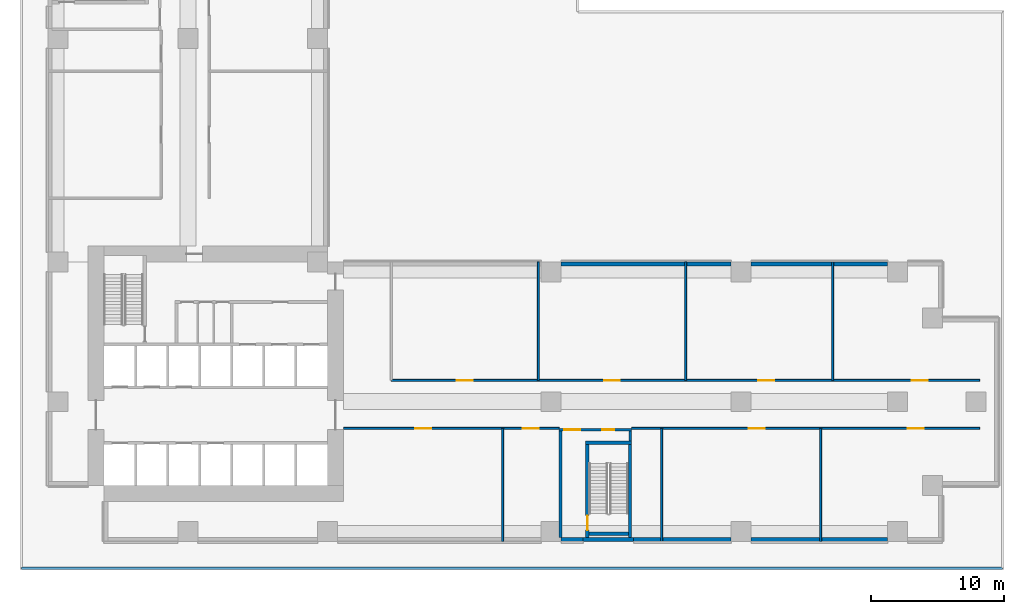
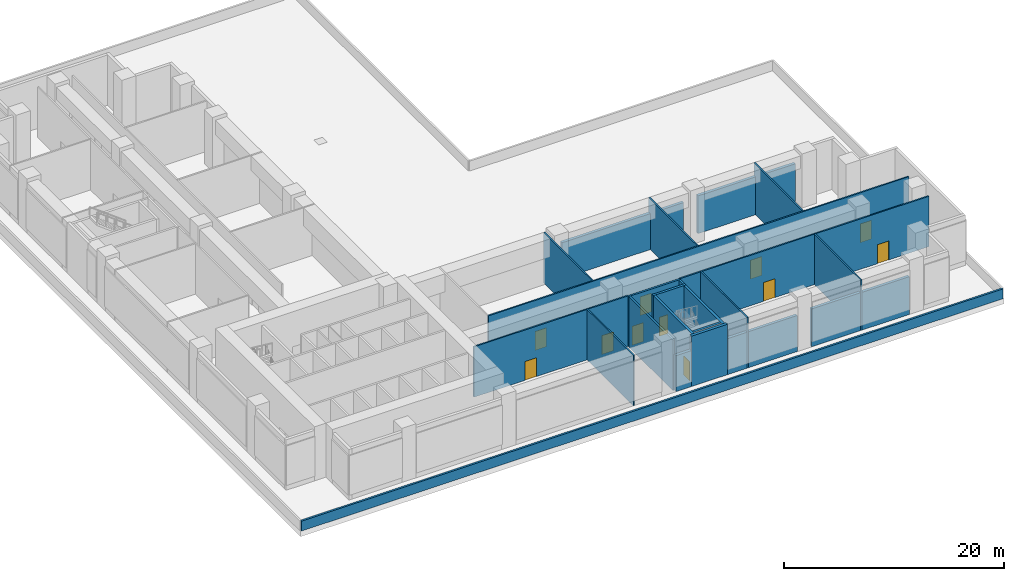
# One storey, part 3 of 11: 23 walls, 11 doors, 11 openings.
"""IFC4 building model written with IfcOpenShell, lengths in metres."""

from ifc_helpers import new_model, si_unit, direction, frame, frame_2d, origin, place, context, subcontext, project, spatial, rectangle, extrude, source, transform, mapped, material, layer, layer_set, type_object, element, fill, save


model = new_model("IFC4")

# Units and contexts
model_context = context("Model", 3, precision=1e-05, world=origin(), true_north=direction((0.0, 1.0)))
body_context = subcontext(model_context, "Body", "Model", "MODEL_VIEW")
ifc_project = project(units=[si_unit("LENGTHUNIT", "METRE"), si_unit("AREAUNIT", "SQUARE_METRE"), si_unit("VOLUMEUNIT", "CUBIC_METRE"), si_unit("PLANEANGLEUNIT", "RADIAN"), si_unit("MASSUNIT", "GRAM", prefix="KILO")], contexts=[model_context])

# Site, building, storey
site_placement = place(None, origin())
site = spatial("IfcSite", under=ifc_project, at=site_placement, CompositionType="ELEMENT")
building_placement = place(site_placement, origin())
building = spatial("IfcBuilding", under=site, at=building_placement, Name="Aurelian Terraces", CompositionType="ELEMENT")
storey_placement = place(building_placement, frame((0.0, 0.0, 34.5)))
storey = spatial("IfcBuildingStorey", under=building, at=storey_placement, Name="L06", CompositionType="ELEMENT", Elevation=34.5)

# Wall
ifc_material_1 = material(Name="Gypsum board on steel studs", Category="steel")
ifc_layer_1 = layer(ifc_material_1, 0.2)
ifc_layer_set_1 = layer_set([ifc_layer_1], Name="Core partition 200")
wall_type_1 = type_object("IfcWallType", Name="Core partition 200", PredefinedType="PARTITIONING", material=ifc_layer_set_1)
wall_1_placement = place(storey_placement, frame((38.5, 0.3, 0.0), z_axis=(0.0, 0.0, 1.0), x_axis=(0.0, 1.0, 0.0)))
element("IfcWall", 1, at=wall_1_placement, inside=storey, type_object=wall_type_1, Name="L06 core wall ST-S2-VW", PredefinedType="PARTITIONING", context=body_context, shape_type="SweptSolid", body=[
    extrude(rectangle(XDim=8.0, YDim=0.2, at=frame_2d((4.0, 0.0))), origin(), (0.0, 0.0, 1.0), 5.6),
])

# Wall, openings, doors
wall_2_placement = place(storey_placement, frame((38.4, 8.4, 0.0), z_axis=(0.0, 0.0, 1.0), x_axis=(1.0, 0.0, 0.0)))
wall_2 = element("IfcWall", 2, at=wall_2_placement, inside=storey, type_object=wall_type_1, Name="L06 core wall ST-S2-BN", PredefinedType="PARTITIONING", context=body_context, shape_type="SweptSolid", body=[
    extrude(rectangle(XDim=5.45, YDim=0.2, at=frame_2d((2.725, 0.0))), origin(), (0.0, 0.0, 1.0), 5.6),
])
shared_shape_1 = source(origin(), body_context, "Body", "SweptSolid", [
    extrude(rectangle(XDim=1.2, YDim=2.1, at=frame_2d((0.6, 1.05))), frame((0.0, 0.11, 0.0), z_axis=(0.0, -1.0, 0.0), x_axis=(1.0, 0.0, 0.0)), (0.0, 0.0, 1.0), 0.22),
])
opening_1_placement = place(wall_2_placement, frame((0.4, 0.0, 0.0)))
opening_1 = element("IfcOpeningElement", 3, at=opening_1_placement, cuts=wall_2, Name="Opening 60916", PredefinedType="OPENING", context=body_context, shape_type="MappedRepresentation", body=[
    mapped(shared_shape_1, transform((0.0, 0.0, 0.0), scale=1.0)),
])
shared_shape_2 = source(origin(), body_context, "Body", "SweptSolid", [
    extrude(rectangle(XDim=0.9, YDim=2.1, at=frame_2d((0.45, 1.05))), frame((0.0, 0.11, 0.0), z_axis=(0.0, -1.0, 0.0), x_axis=(1.0, 0.0, 0.0)), (0.0, 0.0, 1.0), 0.22),
])
opening_2_placement = place(wall_2_placement, frame((3.25, 0.0, 0.0)))
opening_2 = element("IfcOpeningElement", 4, at=opening_2_placement, cuts=wall_2, Name="Opening 60917", PredefinedType="OPENING", context=body_context, shape_type="MappedRepresentation", body=[
    mapped(shared_shape_2, transform((0.0, 0.0, 0.0), scale=1.0)),
])
ifc_material_2 = material(Name="Steel door leaf", Category="steel")
door_type_1 = type_object("IfcDoorType", Name="Core riser door 900x2100", OperationType="SINGLE_SWING_LEFT", PredefinedType="DOOR", material=ifc_material_2)
shared_shape_3 = source(origin(), body_context, "Body", "SweptSolid", [
    extrude(rectangle(XDim=0.9, YDim=2.1, at=frame_2d((0.45, 1.05))), frame((0.0, 0.025, 0.0), z_axis=(0.0, -1.0, 0.0), x_axis=(1.0, 0.0, 0.0)), (0.0, 0.0, 1.0), 0.05),
])
door_1_placement = place(opening_2_placement, origin())
door_1 = element("IfcDoor", 5, at=door_1_placement, inside=storey, type_object=door_type_1, Name="Riser door 60917", OperationType="SINGLE_SWING_LEFT", OverallHeight=2.1, OverallWidth=0.9, PredefinedType="DOOR", context=body_context, shape_type="MappedRepresentation", body=[
    mapped(shared_shape_3, transform((0.0, 0.0, 0.0), scale=1.0)),
])
fill(opening_2, door_1)
door_type_2 = type_object("IfcDoorType", Name="Core fire door 1200x2100 right", OperationType="SINGLE_SWING_RIGHT", PredefinedType="DOOR", material=ifc_material_2)
shared_shape_4 = source(origin(), body_context, "Body", "SweptSolid", [
    extrude(rectangle(XDim=1.2, YDim=2.1, at=frame_2d((0.6, 1.05))), frame((0.0, 0.025, 0.0), z_axis=(0.0, -1.0, 0.0), x_axis=(1.0, 0.0, 0.0)), (0.0, 0.0, 1.0), 0.05),
])
door_2_placement = place(opening_1_placement, origin())
door_2 = element("IfcDoor", 6, at=door_2_placement, inside=storey, type_object=door_type_2, Name="Vestibule door 60916", OperationType="SINGLE_SWING_RIGHT", OverallHeight=2.1, OverallWidth=1.2, PredefinedType="DOOR", context=body_context, shape_type="MappedRepresentation", body=[
    mapped(shared_shape_4, transform((0.0, 0.0, 0.0), scale=1.0)),
])
fill(opening_1, door_2)

# Walls
wall_3_placement = place(storey_placement, frame((43.75, 7.55, 0.0), z_axis=(0.0, 0.0, 1.0), x_axis=(0.0, 1.0, 0.0)))
element("IfcWall", 7, at=wall_3_placement, inside=storey, type_object=wall_type_1, Name="L06 core wall ST-S2-RE", PredefinedType="PARTITIONING", context=body_context, shape_type="SweptSolid", body=[
    extrude(rectangle(XDim=0.75, YDim=0.2, at=frame_2d((0.375, 0.0))), origin(), (0.0, 0.0, 1.0), 5.6),
])
ifc_material_3 = material(Name="Terracotta rainscreen cladding", Category="masonry")
ifc_layer_2 = layer(ifc_material_3, 0.3)
ifc_layer_set_2 = layer_set([ifc_layer_2], Name="EW-300")
wall_type_2 = type_object("IfcWallType", Name="EW-300", PredefinedType="STANDARD", material=ifc_layer_set_2)
wall_4_placement = place(storey_placement, frame((38.55, 0.15, 0.0), z_axis=(0.0, 0.0, 1.0), x_axis=(1.0, 0.0, 0.0)))
element("IfcWall", 8, at=wall_4_placement, inside=storey, type_object=wall_type_2, Name="External wall L06 F01.4", PredefinedType="STANDARD", context=body_context, shape_type="SweptSolid", body=[
    extrude(rectangle(XDim=1.65, YDim=0.3, at=frame_2d((0.825, 0.0))), origin(), (0.0, 0.0, 1.0), 4.0),
])
wall_5_placement = place(storey_placement, frame((44.0, 0.15, 0.0), z_axis=(0.0, 0.0, 1.0), x_axis=(1.0, 0.0, 0.0)))
element("IfcWall", 9, at=wall_5_placement, inside=storey, type_object=wall_type_2, Name="External wall L06 F01.6", PredefinedType="STANDARD", context=body_context, shape_type="SweptSolid", body=[
    extrude(rectangle(XDim=7.33, YDim=0.3, at=frame_2d((3.665, 0.0))), origin(), (0.0, 0.0, 1.0), 4.0),
])
wall_6_placement = place(storey_placement, frame((52.83, 0.15, 0.0), z_axis=(0.0, 0.0, 1.0), x_axis=(1.0, 0.0, 0.0)))
element("IfcWall", 10, at=wall_6_placement, inside=storey, type_object=wall_type_2, Name="External wall L06 F01.7", PredefinedType="STANDARD", context=body_context, shape_type="SweptSolid", body=[
    extrude(rectangle(XDim=10.26, YDim=0.3, at=frame_2d((5.13, 0.0))), origin(), (0.0, 0.0, 1.0), 4.2),
])
wall_7_placement = place(storey_placement, frame((51.33, 20.85, 0.0), z_axis=(0.0, 0.0, 1.0), x_axis=(-1.0, 0.0, 0.0)))
element("IfcWall", 11, at=wall_7_placement, inside=storey, type_object=wall_type_2, Name="External wall L06 F07.3", PredefinedType="STANDARD", context=body_context, shape_type="SweptSolid", body=[
    extrude(rectangle(XDim=12.78, YDim=0.3, at=frame_2d((6.39, 0.0))), origin(), (0.0, 0.0, 1.0), 4.0),
])
ifc_layer_3 = layer(ifc_material_3, 0.2)
ifc_layer_set_3 = layer_set([ifc_layer_3], Name="PARAPET-200")
wall_type_3 = type_object("IfcWallType", Name="PARAPET-200", PredefinedType="PARAPET", material=ifc_layer_set_3)
wall_8_placement = place(storey_placement, frame((71.73, -2.01, 0.0), z_axis=(0.0, 0.0, 1.0), x_axis=(-1.0, 0.0, 0.0)))
element("IfcWall", 12, at=wall_8_placement, inside=storey, type_object=wall_type_3, Name="Parapet L06 L06-X1", PredefinedType="PARAPET", context=body_context, shape_type="SweptSolid", body=[
    extrude(rectangle(XDim=73.74, YDim=0.2, at=frame_2d((36.87, 0.0))), origin(), (0.0, 0.0, 1.0), 1.1),
])
ifc_material_4 = material(Name="Concrete fc' 40 MPa", Category="concrete")
ifc_layer_4 = layer(ifc_material_4, 0.3)
ifc_layer_set_4 = layer_set([ifc_layer_4], Name="STAIR BAY WALL 300")
wall_type_4 = type_object("IfcWallType", Name="STAIR BAY WALL 300", PredefinedType="SOLIDWALL", material=ifc_layer_set_4)
wall_9_placement = place(storey_placement, frame((40.2, 0.15, 0.0), z_axis=(0.0, 0.0, 1.0), x_axis=(1.0, 0.0, 0.0)))
element("IfcWall", 13, at=wall_9_placement, inside=storey, type_object=wall_type_4, Name="Stair bay wall L06 F01.5", PredefinedType="SOLIDWALL", context=body_context, shape_type="SweptSolid", body=[
    extrude(rectangle(XDim=3.8, YDim=0.3, at=frame_2d((1.9, 0.0))), origin(), (0.0, 0.0, 1.0), 5.6),
])

# Wall, openings, doors
ifc_layer_5 = layer(ifc_material_1, 0.15)
ifc_layer_set_5 = layer_set([ifc_layer_5], Name="Special partition 150")
wall_type_5 = type_object("IfcWallType", Name="Special partition 150", PredefinedType="PARTITIONING", material=ifc_layer_set_5)
wall_10_placement = place(storey_placement, frame((22.2, 8.5, 0.0), z_axis=(0.0, 0.0, 1.0), x_axis=(1.0, 0.0, 0.0)))
wall_10 = element("IfcWall", 14, at=wall_10_placement, inside=storey, type_object=wall_type_5, Name="L06 partition W01", PredefinedType="PARTITIONING", context=body_context, shape_type="SweptSolid", body=[
    extrude(rectangle(XDim=16.2, YDim=0.15, at=frame_2d((8.1, 0.0))), origin(), (0.0, 0.0, 1.0), 5.6),
])
shared_shape_5 = source(origin(), body_context, "Body", "SweptSolid", [
    extrude(rectangle(XDim=1.2, YDim=2.1, at=frame_2d((0.6, 1.05))), frame((0.0, 0.085, 0.0), z_axis=(0.0, -1.0, 0.0), x_axis=(1.0, 0.0, 0.0)), (0.0, 0.0, 1.0), 0.17),
])
opening_3_placement = place(wall_10_placement, frame((5.375, 0.0, 0.0)))
opening_3 = element("IfcOpeningElement", 15, at=opening_3_placement, cuts=wall_10, Name="Opening 70901", PredefinedType="OPENING", context=body_context, shape_type="MappedRepresentation", body=[
    mapped(shared_shape_5, transform((0.0, 0.0, 0.0), scale=1.0)),
])
opening_4_placement = place(wall_10_placement, frame((13.475, 0.0, 0.0)))
opening_4 = element("IfcOpeningElement", 16, at=opening_4_placement, cuts=wall_10, Name="Opening 70902", PredefinedType="OPENING", context=body_context, shape_type="MappedRepresentation", body=[
    mapped(shared_shape_5, transform((0.0, 0.0, 0.0), scale=1.0)),
])
door_type_3 = type_object("IfcDoorType", Name="Special door 1200x2100", OperationType="SINGLE_SWING_LEFT", PredefinedType="DOOR", material=ifc_material_2)
door_3_placement = place(opening_3_placement, origin())
door_3 = element("IfcDoor", 17, at=door_3_placement, inside=storey, type_object=door_type_3, Name="Door 70901", OperationType="SINGLE_SWING_LEFT", OverallHeight=2.1, OverallWidth=1.2, PredefinedType="DOOR", context=body_context, shape_type="MappedRepresentation", body=[
    mapped(shared_shape_4, transform((0.0, 0.0, 0.0), scale=1.0)),
])
fill(opening_3, door_3)
door_type_4 = type_object("IfcDoorType", Name="Special door 1200x2100 right", OperationType="SINGLE_SWING_RIGHT", PredefinedType="DOOR", material=ifc_material_2)
door_4_placement = place(opening_4_placement, origin())
door_4 = element("IfcDoor", 18, at=door_4_placement, inside=storey, type_object=door_type_4, Name="Door 70902", OperationType="SINGLE_SWING_RIGHT", OverallHeight=2.1, OverallWidth=1.2, PredefinedType="DOOR", context=body_context, shape_type="MappedRepresentation", body=[
    mapped(shared_shape_4, transform((0.0, 0.0, 0.0), scale=1.0)),
])
fill(opening_4, door_4)

wall_11_placement = place(storey_placement, frame((43.85, 8.5, 0.0), z_axis=(0.0, 0.0, 1.0), x_axis=(1.0, 0.0, 0.0)))
wall_11 = element("IfcWall", 19, at=wall_11_placement, inside=storey, type_object=wall_type_5, Name="L06 partition W02", PredefinedType="PARTITIONING", context=body_context, shape_type="SweptSolid", body=[
    extrude(rectangle(XDim=26.15, YDim=0.15, at=frame_2d((13.075, 0.0))), origin(), (0.0, 0.0, 1.0), 5.6),
])
opening_5_placement = place(wall_11_placement, frame((8.8, 0.0, 0.0)))
opening_5 = element("IfcOpeningElement", 20, at=opening_5_placement, cuts=wall_11, Name="Opening 70903", PredefinedType="OPENING", context=body_context, shape_type="MappedRepresentation", body=[
    mapped(shared_shape_5, transform((0.0, 0.0, 0.0), scale=1.0)),
])
opening_6_placement = place(wall_11_placement, frame((20.75, 0.0, 0.0)))
opening_6 = element("IfcOpeningElement", 21, at=opening_6_placement, cuts=wall_11, Name="Opening 70904", PredefinedType="OPENING", context=body_context, shape_type="MappedRepresentation", body=[
    mapped(shared_shape_5, transform((0.0, 0.0, 0.0), scale=1.0)),
])
door_5_placement = place(opening_5_placement, origin())
door_5 = element("IfcDoor", 22, at=door_5_placement, inside=storey, type_object=door_type_3, Name="Door 70903", OperationType="SINGLE_SWING_LEFT", OverallHeight=2.1, OverallWidth=1.2, PredefinedType="DOOR", context=body_context, shape_type="MappedRepresentation", body=[
    mapped(shared_shape_4, transform((0.0, 0.0, 0.0), scale=1.0)),
])
fill(opening_5, door_5)
door_6_placement = place(opening_6_placement, origin())
door_6 = element("IfcDoor", 23, at=door_6_placement, inside=storey, type_object=door_type_4, Name="Door 70904", OperationType="SINGLE_SWING_RIGHT", OverallHeight=2.1, OverallWidth=1.2, PredefinedType="DOOR", context=body_context, shape_type="MappedRepresentation", body=[
    mapped(shared_shape_4, transform((0.0, 0.0, 0.0), scale=1.0)),
])
fill(opening_6, door_6)

wall_12_placement = place(storey_placement, frame((25.8, 12.1, 0.0), z_axis=(0.0, 0.0, 1.0), x_axis=(1.0, 0.0, 0.0)))
wall_12 = element("IfcWall", 24, at=wall_12_placement, inside=storey, type_object=wall_type_5, Name="L06 partition W03", PredefinedType="PARTITIONING", context=body_context, shape_type="SweptSolid", body=[
    extrude(rectangle(XDim=44.2, YDim=0.15, at=frame_2d((22.1, 0.0))), origin(), (0.0, 0.0, 1.0), 5.6),
])
opening_7_placement = place(wall_12_placement, frame((4.925, 0.0, 0.0)))
opening_7 = element("IfcOpeningElement", 25, at=opening_7_placement, cuts=wall_12, Name="Opening 70905", PredefinedType="OPENING", context=body_context, shape_type="MappedRepresentation", body=[
    mapped(shared_shape_5, transform((0.0, 0.0, 0.0), scale=1.0)),
])
opening_8_placement = place(wall_12_placement, frame((15.975, 0.0, 0.0)))
opening_8 = element("IfcOpeningElement", 26, at=opening_8_placement, cuts=wall_12, Name="Opening 70906", PredefinedType="OPENING", context=body_context, shape_type="MappedRepresentation", body=[
    mapped(shared_shape_5, transform((0.0, 0.0, 0.0), scale=1.0)),
])
opening_9_placement = place(wall_12_placement, frame((27.55, 0.0, 0.0)))
opening_9 = element("IfcOpeningElement", 27, at=opening_9_placement, cuts=wall_12, Name="Opening 70907", PredefinedType="OPENING", context=body_context, shape_type="MappedRepresentation", body=[
    mapped(shared_shape_5, transform((0.0, 0.0, 0.0), scale=1.0)),
])
opening_10_placement = place(wall_12_placement, frame((39.1, 0.0, 0.0)))
opening_10 = element("IfcOpeningElement", 28, at=opening_10_placement, cuts=wall_12, Name="Opening 70908", PredefinedType="OPENING", context=body_context, shape_type="MappedRepresentation", body=[
    mapped(shared_shape_5, transform((0.0, 0.0, 0.0), scale=1.0)),
])
door_7_placement = place(opening_7_placement, origin())
door_7 = element("IfcDoor", 29, at=door_7_placement, inside=storey, type_object=door_type_3, Name="Door 70905", OperationType="SINGLE_SWING_LEFT", OverallHeight=2.1, OverallWidth=1.2, PredefinedType="DOOR", context=body_context, shape_type="MappedRepresentation", body=[
    mapped(shared_shape_4, transform((0.0, 0.0, 0.0), scale=1.0)),
])
fill(opening_7, door_7)
door_8_placement = place(opening_8_placement, origin())
door_8 = element("IfcDoor", 30, at=door_8_placement, inside=storey, type_object=door_type_4, Name="Door 70906", OperationType="SINGLE_SWING_RIGHT", OverallHeight=2.1, OverallWidth=1.2, PredefinedType="DOOR", context=body_context, shape_type="MappedRepresentation", body=[
    mapped(shared_shape_4, transform((0.0, 0.0, 0.0), scale=1.0)),
])
fill(opening_8, door_8)
door_9_placement = place(opening_9_placement, origin())
door_9 = element("IfcDoor", 31, at=door_9_placement, inside=storey, type_object=door_type_3, Name="Door 70907", OperationType="SINGLE_SWING_LEFT", OverallHeight=2.1, OverallWidth=1.2, PredefinedType="DOOR", context=body_context, shape_type="MappedRepresentation", body=[
    mapped(shared_shape_4, transform((0.0, 0.0, 0.0), scale=1.0)),
])
fill(opening_9, door_9)
door_10_placement = place(opening_10_placement, origin())
door_10 = element("IfcDoor", 32, at=door_10_placement, inside=storey, type_object=door_type_4, Name="Door 70908", OperationType="SINGLE_SWING_RIGHT", OverallHeight=2.1, OverallWidth=1.2, PredefinedType="DOOR", context=body_context, shape_type="MappedRepresentation", body=[
    mapped(shared_shape_4, transform((0.0, 0.0, 0.0), scale=1.0)),
])
fill(opening_10, door_10)

# Wall, opening, door
ifc_layer_6 = layer(ifc_material_4, 0.25)
ifc_layer_set_6 = layer_set([ifc_layer_6], Name="Stair enclosure wall 250")
wall_type_6 = type_object("IfcWallType", Name="Stair enclosure wall 250", PredefinedType="SOLIDWALL", material=ifc_layer_set_6)
wall_13_placement = place(storey_placement, frame((40.525, 0.3, 0.0), z_axis=(0.0, 0.0, 1.0), x_axis=(0.0, 1.0, 0.0)))
wall_13 = element("IfcWall", 33, at=wall_13_placement, inside=storey, type_object=wall_type_6, Name="L06 core wall ST-S2-W", PredefinedType="SOLIDWALL", context=body_context, shape_type="SweptSolid", body=[
    extrude(rectangle(XDim=7.0, YDim=0.25, at=frame_2d((3.5, 0.0))), origin(), (0.0, 0.0, 1.0), 5.6),
])
shared_shape_6 = source(origin(), body_context, "Body", "SweptSolid", [
    extrude(rectangle(XDim=1.1, YDim=2.1, at=frame_2d((0.55, 1.05))), frame((0.0, 0.135, 0.0), z_axis=(0.0, -1.0, 0.0), x_axis=(1.0, 0.0, 0.0)), (0.0, 0.0, 1.0), 0.27),
])
opening_11_placement = place(wall_13_placement, frame((0.55, 0.0, 0.0)))
opening_11 = element("IfcOpeningElement", 34, at=opening_11_placement, cuts=wall_13, Name="Opening 60915", PredefinedType="OPENING", context=body_context, shape_type="MappedRepresentation", body=[
    mapped(shared_shape_6, transform((0.0, 0.0, 0.0), scale=1.0)),
])
door_type_5 = type_object("IfcDoorType", Name="Core fire door 1100x2100", OperationType="SINGLE_SWING_LEFT", PredefinedType="DOOR", material=ifc_material_2)
shared_shape_7 = source(origin(), body_context, "Body", "SweptSolid", [
    extrude(rectangle(XDim=1.1, YDim=2.1, at=frame_2d((0.55, 1.05))), frame((0.0, 0.025, 0.0), z_axis=(0.0, -1.0, 0.0), x_axis=(1.0, 0.0, 0.0)), (0.0, 0.0, 1.0), 0.05),
])
door_11_placement = place(opening_11_placement, origin())
door_11 = element("IfcDoor", 35, at=door_11_placement, inside=storey, type_object=door_type_5, Name="Stair door 60915", OperationType="SINGLE_SWING_LEFT", OverallHeight=2.1, OverallWidth=1.1, PredefinedType="DOOR", context=body_context, shape_type="MappedRepresentation", body=[
    mapped(shared_shape_7, transform((0.0, 0.0, 0.0), scale=1.0)),
])
fill(opening_11, door_11)

# Walls
wall_14_placement = place(storey_placement, frame((40.4, 7.425, 0.0), z_axis=(0.0, 0.0, 1.0), x_axis=(1.0, 0.0, 0.0)))
element("IfcWall", 36, at=wall_14_placement, inside=storey, type_object=wall_type_6, Name="L06 core wall ST-S2-N", PredefinedType="SOLIDWALL", context=body_context, shape_type="SweptSolid", body=[
    extrude(rectangle(XDim=3.45, YDim=0.25, at=frame_2d((1.725, 0.0))), origin(), (0.0, 0.0, 1.0), 5.6),
])
wall_15_placement = place(storey_placement, frame((40.65, 0.575, 0.0), z_axis=(0.0, 0.0, 1.0), x_axis=(1.0, 0.0, 0.0)))
element("IfcWall", 37, at=wall_15_placement, inside=storey, type_object=wall_type_6, Name="L06 core wall ST-S2-SS", PredefinedType="SOLIDWALL", context=body_context, shape_type="SweptSolid", body=[
    extrude(rectangle(XDim=2.95, YDim=0.25, at=frame_2d((1.475, 0.0))), origin(), (0.0, 0.0, 1.0), 5.6),
])
shared_shape_8 = source(origin(), body_context, "Body", "SweptSolid", [
    extrude(rectangle(XDim=10.26, YDim=0.3, at=frame_2d((5.13, 0.0))), origin(), (0.0, 0.0, 1.0), 4.2),
])
wall_16_placement = place(storey_placement, frame((63.09, 20.85, 0.0), z_axis=(0.0, 0.0, 1.0), x_axis=(-1.0, 0.0, 0.0)))
element("IfcWall", 38, at=wall_16_placement, inside=storey, type_object=wall_type_2, Name="External wall L06 F07.2", PredefinedType="STANDARD", context=body_context, shape_type="MappedRepresentation", body=[
    mapped(shared_shape_8, transform((0.0, 0.0, 0.0), scale=1.0)),
])
shared_shape_9 = source(origin(), body_context, "Body", "SweptSolid", [
    extrude(rectangle(XDim=7.0, YDim=0.25, at=frame_2d((3.5, 0.0))), origin(), (0.0, 0.0, 1.0), 5.6),
])
wall_17_placement = place(storey_placement, frame((43.725, 0.3, 0.0), z_axis=(0.0, 0.0, 1.0), x_axis=(0.0, 1.0, 0.0)))
element("IfcWall", 39, at=wall_17_placement, inside=storey, type_object=wall_type_6, Name="L06 core wall ST-S2-E", PredefinedType="SOLIDWALL", context=body_context, shape_type="MappedRepresentation", body=[
    mapped(shared_shape_9, transform((0.0, 0.0, 0.0), scale=1.0)),
])
shared_shape_10 = source(origin(), body_context, "Body", "SweptSolid", [
    extrude(rectangle(XDim=8.5, YDim=0.15, at=frame_2d((4.25, 0.0))), origin(), (0.0, 0.0, 1.0), 5.6),
])
for number, where, z_axis, x_axis, name in (
    (40, (34.15, 0.0, 0.0), (0.0, 0.0, 1.0), (0.0, 1.0, 0.0), "L06 partition W15"),
    (41, (46.1, 0.0, 0.0), (0.0, 0.0, 1.0), (0.0, 1.0, 0.0), "L06 partition W17"),
    (42, (58.05, 0.0, 0.0), (0.0, 0.0, 1.0), (0.0, 1.0, 0.0), "L06 partition W19"),
):
    element("IfcWall", number, at=place(storey_placement, frame(where, z_axis=z_axis, x_axis=x_axis)), inside=storey, type_object=wall_type_5, Name=name, PredefinedType="PARTITIONING", context=body_context, shape_type="MappedRepresentation", body=[
        mapped(shared_shape_10, transform((0.0, 0.0, 0.0), scale=1.0)),
    ])
shared_shape_11 = source(origin(), body_context, "Body", "SweptSolid", [
    extrude(rectangle(XDim=8.9, YDim=0.15, at=frame_2d((4.45, 0.0))), origin(), (0.0, 0.0, 1.0), 5.6),
])
for number, where, z_axis, x_axis, name in (
    (43, (36.85, 12.1, 0.0), (0.0, 0.0, 1.0), (0.0, 1.0, 0.0), "L06 partition W16"),
    (44, (47.9, 12.1, 0.0), (0.0, 0.0, 1.0), (0.0, 1.0, 0.0), "L06 partition W18"),
    (45, (58.95, 12.1, 0.0), (0.0, 0.0, 1.0), (0.0, 1.0, 0.0), "L06 partition W20"),
):
    element("IfcWall", number, at=place(storey_placement, frame(where, z_axis=z_axis, x_axis=x_axis)), inside=storey, type_object=wall_type_5, Name=name, PredefinedType="PARTITIONING", context=body_context, shape_type="MappedRepresentation", body=[
        mapped(shared_shape_11, transform((0.0, 0.0, 0.0), scale=1.0)),
    ])

save(model, "model.ifc")
